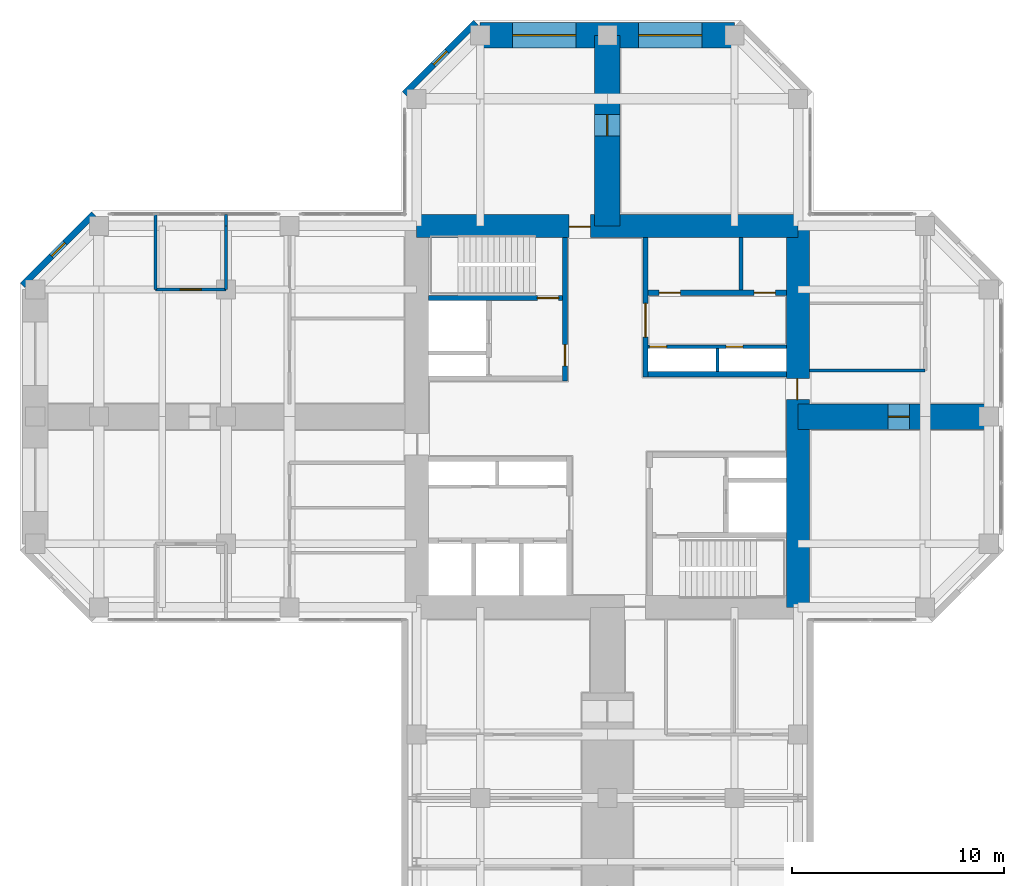
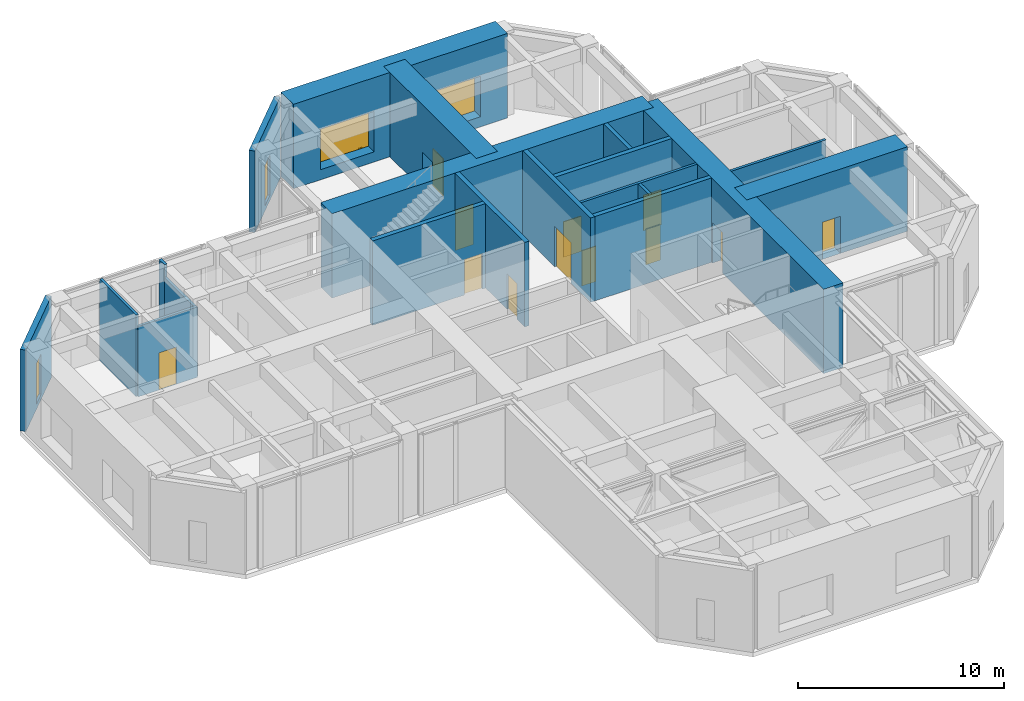
# One storey, part 8 of 10: 20 walls, 12 doors, 4 windows, 16 openings.
"""IFC4 building model written with IfcOpenShell, lengths in metres."""

from ifc_helpers import new_model, si_unit, direction, frame, frame_2d, origin, place, context, subcontext, project, spatial, rectangle, hollow_rectangle, extrude, material, layer, layer_set, constituent, constituent_set, type_object, element, fill, save


model = new_model("IFC4")

# Units and contexts
model_context = context("Model", 3, precision=1e-05, world=origin(), true_north=direction((0.0, 1.0)))
body_context = subcontext(model_context, "Body", "Model", "MODEL_VIEW")
ifc_project = project(units=[si_unit("LENGTHUNIT", "METRE"), si_unit("AREAUNIT", "SQUARE_METRE"), si_unit("VOLUMEUNIT", "CUBIC_METRE"), si_unit("PLANEANGLEUNIT", "RADIAN"), si_unit("MASSUNIT", "GRAM", prefix="KILO")], contexts=[model_context])

# Site, building, storey
site_placement = place(None, origin())
site = spatial("IfcSite", under=ifc_project, at=site_placement, CompositionType="ELEMENT")
building_placement = place(site_placement, origin())
building = spatial("IfcBuilding", under=site, at=building_placement, Name="Torre Cruceta", CompositionType="ELEMENT")
storey_placement = place(building_placement, frame((0.0, 0.0, 217.10009765625)))
storey = spatial("IfcBuildingStorey", under=building, at=storey_placement, Name="L55", CompositionType="ELEMENT", Elevation=217.10009765625)

# Wall, opening, door
ifc_material_1 = material(Name="Concrete G60 (fck 60 MPa)", Category="concrete")
ifc_layer_1 = layer(ifc_material_1, 0.25)
ifc_layer_set_1 = layer_set([ifc_layer_1], Name="Concrete G60 (fck 60 MPa)")
wall_type_1 = type_object("IfcWallType", Name="CORE INNER WALL 250 G60", PredefinedType="SHEAR", material=ifc_layer_set_1)
wall_1_placement = place(storey_placement, frame((1.800048828125, 1.875, 0.0), z_axis=(0.0, 0.0, 1.0), x_axis=(0.0, 1.0, 0.0)))
wall_1 = element("IfcWall", 1, at=wall_1_placement, inside=storey, type_object=wall_type_1, Name="CW4 L55 NE-CU", PredefinedType="SHEAR", context=body_context, shape_type="SweptSolid", body=[
    extrude(rectangle(XDim=6.574951171875, YDim=0.25, at=frame_2d((3.28759765625, 0.0))), origin(), (0.0, 0.0, 1.0), 5.0),
])
opening_1_placement = place(wall_1_placement, frame((1.875, 0.0, 0.0)))
opening_1 = element("IfcOpeningElement", 2, at=opening_1_placement, cuts=wall_1, Name="Opening D15", PredefinedType="OPENING", context=body_context, shape_type="SweptSolid", body=[
    extrude(rectangle(XDim=1.60009765625, YDim=2.39990234375, at=frame_2d((0.800048828125, 1.199951171875))), frame((0.0, 0.135009765625, 0.0), z_axis=(0.0, -1.0, 0.0), x_axis=(1.0, 0.0, 0.0)), (0.0, 0.0, 1.0), 0.27001953125),
])
ifc_material_2 = material(Name="Steel DX51D", Category="steel")
ifc_constituent_1 = constituent(ifc_material_2, Name="Leaf and frame")
ifc_material_3 = material(Name="Polyester powder coating", Category="paint")
ifc_constituent_2 = constituent(ifc_material_3, Name="Finish")
ifc_constituent_set_1 = constituent_set(constituents=[ifc_constituent_1, ifc_constituent_2], Name="Steel fire door")
door_type_1 = type_object("IfcDoorType", Name="CORE ROOM DOUBLE DOOR 1600X2400", OperationType="DOUBLE_DOOR_SINGLE_SWING", PredefinedType="DOOR", material=ifc_constituent_set_1)
door_1_placement = place(opening_1_placement, frame((1.60009765625, 0.0, 0.0), z_axis=(0.0, 0.0, 1.0), x_axis=(-1.0, 0.0, 0.0)))
door_1 = element("IfcDoor", 3, at=door_1_placement, inside=storey, type_object=door_type_1, Name="D15 L55 NE-LOBBY", OperationType="DOUBLE_DOOR_SINGLE_SWING", OverallHeight=2.39990234375, OverallWidth=1.60009765625, PredefinedType="DOOR", context=body_context, shape_type="SweptSolid", body=[
    extrude(rectangle(XDim=1.60009765625, YDim=2.39990234375, at=frame_2d((0.800048828125, 1.199951171875))), frame((0.0, 0.025146484375, 0.0), z_axis=(0.0, -1.0, 0.0), x_axis=(1.0, 0.0, 0.0)), (0.0, 0.0, 1.0), 0.050048828125),
])
fill(opening_1, door_1)

# Wall
wall_2_placement = place(storey_placement, frame((1.925048828125, 2.0, 0.0), z_axis=(0.0, 0.0, 1.0), x_axis=(1.0, 0.0, 0.0)))
element("IfcWall", 4, at=wall_2_placement, inside=storey, type_object=wall_type_1, Name="CW4 L55 NE-CV", PredefinedType="SHEAR", context=body_context, shape_type="SweptSolid", body=[
    extrude(rectangle(XDim=6.52490234375, YDim=0.25, at=frame_2d((3.262451171875, 0.0))), origin(), (0.0, 0.0, 1.0), 5.0),
])

# Wall, openings, doors
wall_3_placement = place(storey_placement, frame((1.925048828125, 5.85009765625, 0.0), z_axis=(0.0, 0.0, 1.0), x_axis=(1.0, 0.0, 0.0)))
wall_3 = element("IfcWall", 5, at=wall_3_placement, inside=storey, type_object=wall_type_1, Name="CW4 L55 NE-LV", PredefinedType="SHEAR", context=body_context, shape_type="SweptSolid", body=[
    extrude(rectangle(XDim=6.52490234375, YDim=0.25, at=frame_2d((3.262451171875, 0.0))), origin(), (0.0, 0.0, 1.0), 5.0),
])
opening_2_placement = place(wall_3_placement, frame((0.520751953125, 0.0, 0.0)))
opening_2 = element("IfcOpeningElement", 6, at=opening_2_placement, cuts=wall_3, Name="Opening D3", PredefinedType="OPENING", context=body_context, shape_type="SweptSolid", body=[
    extrude(rectangle(XDim=1.0, YDim=2.10009765625, at=frame_2d((0.5, 1.050048828125))), frame((0.0, 0.135009765625, 0.0), z_axis=(0.0, -1.0, 0.0), x_axis=(1.0, 0.0, 0.0)), (0.0, 0.0, 1.0), 0.27001953125),
])
opening_3_placement = place(wall_3_placement, frame((5.004150390625, 0.0, 0.0)))
opening_3 = element("IfcOpeningElement", 7, at=opening_3_placement, cuts=wall_3, Name="Opening D3", PredefinedType="OPENING", context=body_context, shape_type="SweptSolid", body=[
    extrude(rectangle(XDim=1.0, YDim=2.10009765625, at=frame_2d((0.5, 1.050048828125))), frame((0.0, 0.135009765625, 0.0), z_axis=(0.0, -1.0, 0.0), x_axis=(1.0, 0.0, 0.0)), (0.0, 0.0, 1.0), 0.27001953125),
])
ifc_material_4 = material(Name="Steel DX51D", Category="steel")
ifc_constituent_3 = constituent(ifc_material_4, Name="Leaf and frame")
ifc_material_5 = material(Name="Polyester powder coating", Category="paint")
ifc_constituent_4 = constituent(ifc_material_5, Name="Finish")
ifc_constituent_set_2 = constituent_set(constituents=[ifc_constituent_3, ifc_constituent_4], Name="Steel fire door")
door_type_2 = type_object("IfcDoorType", Name="FIRE DOOR 1000X2100", OperationType="SINGLE_SWING_LEFT", PredefinedType="DOOR", material=ifc_constituent_set_2)
door_2_placement = place(opening_2_placement, origin())
door_2 = element("IfcDoor", 8, at=door_2_placement, inside=storey, type_object=door_type_2, Name="D3 L55 NE-HR1", OperationType="SINGLE_SWING_LEFT", OverallHeight=2.10009765625, OverallWidth=1.0, PredefinedType="DOOR", context=body_context, shape_type="SweptSolid", body=[
    extrude(rectangle(XDim=1.0, YDim=2.10009765625, at=frame_2d((0.5, 1.050048828125))), frame((0.0, 0.02490234375, 0.0), z_axis=(0.0, -1.0, 0.0), x_axis=(1.0, 0.0, 0.0)), (0.0, 0.0, 1.0), 0.050048828125),
])
fill(opening_2, door_2)
door_3_placement = place(opening_3_placement, origin())
door_3 = element("IfcDoor", 9, at=door_3_placement, inside=storey, type_object=door_type_2, Name="D3 L55 NE-HR2", OperationType="SINGLE_SWING_RIGHT", OverallHeight=2.10009765625, OverallWidth=1.0, PredefinedType="DOOR", context=body_context, shape_type="SweptSolid", body=[
    extrude(rectangle(XDim=1.0, YDim=2.10009765625, at=frame_2d((0.5, 1.050048828125))), frame((0.0, 0.02490234375, 0.0), z_axis=(0.0, -1.0, 0.0), x_axis=(1.0, 0.0, 0.0)), (0.0, 0.0, 1.0), 0.050048828125),
])
fill(opening_3, door_3)

# Wall, opening, door
wall_4_placement = place(storey_placement, frame((-2.0, 1.675048828125, 0.0), z_axis=(0.0, 0.0, 1.0), x_axis=(0.0, 1.0, 0.0)))
wall_4 = element("IfcWall", 10, at=wall_4_placement, inside=storey, type_object=wall_type_1, Name="CW4 L55 NW-CU", PredefinedType="SHEAR", context=body_context, shape_type="SweptSolid", body=[
    extrude(rectangle(XDim=6.77490234375, YDim=0.25, at=frame_2d((3.387451171875, 0.0))), origin(), (0.0, 0.0, 1.0), 5.0),
])
opening_4_placement = place(wall_4_placement, frame((0.72509765625, 0.0, 0.0)))
opening_4 = element("IfcOpeningElement", 11, at=opening_4_placement, cuts=wall_4, Name="Opening D3", PredefinedType="OPENING", context=body_context, shape_type="SweptSolid", body=[
    extrude(rectangle(XDim=1.0, YDim=2.10009765625, at=frame_2d((0.5, 1.050048828125))), frame((0.0, 0.135009765625, 0.0), z_axis=(0.0, -1.0, 0.0), x_axis=(1.0, 0.0, 0.0)), (0.0, 0.0, 1.0), 0.27001953125),
])
door_4_placement = place(opening_4_placement, origin())
door_4 = element("IfcDoor", 12, at=door_4_placement, inside=storey, type_object=door_type_2, Name="D3 L55 NW-LOBBY", OperationType="SINGLE_SWING_LEFT", OverallHeight=2.10009765625, OverallWidth=1.0, PredefinedType="DOOR", context=body_context, shape_type="SweptSolid", body=[
    extrude(rectangle(XDim=1.0, YDim=2.10009765625, at=frame_2d((0.5, 1.050048828125))), frame((0.0, 0.02490234375, 0.0), z_axis=(0.0, -1.0, 0.0), x_axis=(1.0, 0.0, 0.0)), (0.0, 0.0, 1.0), 0.050048828125),
])
fill(opening_4, door_4)

wall_5_placement = place(storey_placement, frame((-2.125, 5.60009765625, 0.0), z_axis=(0.0, 0.0, 1.0), x_axis=(-1.0, 0.0, 0.0)))
wall_5 = element("IfcWall", 13, at=wall_5_placement, inside=storey, type_object=wall_type_1, Name="CW4 L55 NW-SV", PredefinedType="SHEAR", context=body_context, shape_type="SweptSolid", body=[
    extrude(rectangle(XDim=6.324951171875, YDim=0.25, at=frame_2d((3.16259765625, 0.0))), origin(), (0.0, 0.0, 1.0), 5.0),
])
opening_5_placement = place(wall_5_placement, frame((0.175048828125, 0.0, 0.0)))
opening_5 = element("IfcOpeningElement", 14, at=opening_5_placement, cuts=wall_5, Name="Opening D3", PredefinedType="OPENING", context=body_context, shape_type="SweptSolid", body=[
    extrude(rectangle(XDim=1.0, YDim=2.10009765625, at=frame_2d((0.5, 1.050048828125))), frame((0.0, 0.135009765625, 0.0), z_axis=(0.0, -1.0, 0.0), x_axis=(1.0, 0.0, 0.0)), (0.0, 0.0, 1.0), 0.27001953125),
])
door_5_placement = place(opening_5_placement, frame((1.0, 0.0, 0.0), z_axis=(0.0, 0.0, 1.0), x_axis=(-1.0, 0.0, 0.0)))
door_5 = element("IfcDoor", 15, at=door_5_placement, inside=storey, type_object=door_type_2, Name="D3 L55 NW-STAIR", OperationType="SINGLE_SWING_RIGHT", OverallHeight=2.10009765625, OverallWidth=1.0, PredefinedType="DOOR", context=body_context, shape_type="SweptSolid", body=[
    extrude(rectangle(XDim=1.0, YDim=2.10009765625, at=frame_2d((0.5, 1.050048828125))), frame((0.0, 0.025146484375, 0.0), z_axis=(0.0, -1.0, 0.0), x_axis=(1.0, 0.0, 0.0)), (0.0, 0.0, 1.0), 0.050048828125),
])
fill(opening_5, door_5)

ifc_material_6 = material(Name="Concrete G60 (fck 60 MPa)", Category="concrete")
ifc_layer_2 = layer(ifc_material_6, 1.10009765625)
ifc_layer_set_2 = layer_set([ifc_layer_2], Name="Concrete G60 (fck 60 MPa)")
wall_type_2 = type_object("IfcWallType", Name="CORE WALL 1100 G60", PredefinedType="SHEAR", material=ifc_layer_set_2)
wall_6_placement = place(storey_placement, frame((9.0, 9.0, 0.0), z_axis=(0.0, 0.0, 1.0), x_axis=(-1.0, 0.0, 0.0)))
wall_6 = element("IfcWall", 16, at=wall_6_placement, inside=storey, type_object=wall_type_2, Name="CW2 L55 CW-N", PredefinedType="SHEAR", context=body_context, shape_type="SweptSolid", body=[
    extrude(rectangle(XDim=18.0, YDim=1.10009765625, at=frame_2d((9.0, 0.0))), origin(), (0.0, 0.0, 1.0), 5.0),
])
opening_6_placement = place(wall_6_placement, frame((9.800048828125, 0.0, 0.0)))
opening_6 = element("IfcOpeningElement", 17, at=opening_6_placement, cuts=wall_6, Name="Opening D4", PredefinedType="OPENING", context=body_context, shape_type="SweptSolid", body=[
    extrude(rectangle(XDim=1.0, YDim=2.39990234375, at=frame_2d((0.5, 1.199951171875))), frame((0.0, 0.56005859375, 0.0), z_axis=(0.0, -1.0, 0.0), x_axis=(1.0, 0.0, 0.0)), (0.0, 0.0, 1.0), 1.1201171875),
])
ifc_material_7 = material(Name="Steel DX51D", Category="steel")
ifc_constituent_5 = constituent(ifc_material_7, Name="Leaf and frame")
ifc_material_8 = material(Name="Polyester powder coating", Category="paint")
ifc_constituent_6 = constituent(ifc_material_8, Name="Finish")
ifc_constituent_set_3 = constituent_set(constituents=[ifc_constituent_5, ifc_constituent_6], Name="Steel fire door")
door_type_3 = type_object("IfcDoorType", Name="CORE ARM DOOR 1000X2400", OperationType="SINGLE_SWING_RIGHT", PredefinedType="DOOR", material=ifc_constituent_set_3)
door_6_placement = place(opening_6_placement, frame((1.0, 0.0, 0.0), z_axis=(0.0, 0.0, 1.0), x_axis=(-1.0, 0.0, 0.0)))
door_6 = element("IfcDoor", 18, at=door_6_placement, inside=storey, type_object=door_type_3, Name="D4 L55 CW-N", OperationType="SINGLE_SWING_RIGHT", OverallHeight=2.39990234375, OverallWidth=1.0, PredefinedType="DOOR", context=body_context, shape_type="SweptSolid", body=[
    extrude(rectangle(XDim=1.0, YDim=2.39990234375, at=frame_2d((0.5, 1.199951171875))), frame((0.0, -0.005126953125, 0.0), z_axis=(0.0, -1.0, 0.0), x_axis=(1.0, 0.0, 0.0)), (0.0, 0.0, 1.0), 0.050048828125),
])
fill(opening_6, door_6)

wall_7_placement = place(storey_placement, frame((9.0, -9.0, 0.0), z_axis=(0.0, 0.0, 1.0), x_axis=(0.0, 1.0, 0.0)))
wall_7 = element("IfcWall", 19, at=wall_7_placement, inside=storey, type_object=wall_type_2, Name="CW2 L55 CW-E", PredefinedType="SHEAR", context=body_context, shape_type="SweptSolid", body=[
    extrude(rectangle(XDim=18.0, YDim=1.10009765625, at=frame_2d((9.0, 0.0))), origin(), (0.0, 0.0, 1.0), 5.0),
])
opening_7_placement = place(wall_7_placement, frame((9.800048828125, 0.0, 0.0)))
opening_7 = element("IfcOpeningElement", 20, at=opening_7_placement, cuts=wall_7, Name="Opening D4", PredefinedType="OPENING", context=body_context, shape_type="SweptSolid", body=[
    extrude(rectangle(XDim=1.0, YDim=2.39990234375, at=frame_2d((0.5, 1.199951171875))), frame((0.0, 0.56005859375, 0.0), z_axis=(0.0, -1.0, 0.0), x_axis=(1.0, 0.0, 0.0)), (0.0, 0.0, 1.0), 1.1201171875),
])
door_7_placement = place(opening_7_placement, frame((1.0, 0.0, 0.0), z_axis=(0.0, 0.0, 1.0), x_axis=(-1.0, 0.0, 0.0)))
door_7 = element("IfcDoor", 21, at=door_7_placement, inside=storey, type_object=door_type_3, Name="D4 L55 CW-E", OperationType="SINGLE_SWING_RIGHT", OverallHeight=2.39990234375, OverallWidth=1.0, PredefinedType="DOOR", context=body_context, shape_type="SweptSolid", body=[
    extrude(rectangle(XDim=1.0, YDim=2.39990234375, at=frame_2d((0.5, 1.199951171875))), frame((0.0, -0.005126953125, 0.0), z_axis=(0.0, -1.0, 0.0), x_axis=(1.0, 0.0, 0.0)), (0.0, 0.0, 1.0), 0.050048828125),
])
fill(opening_7, door_7)

# Wall, opening, window
ifc_material_9 = material(Name="Concrete G30 (fck 30 MPa)", Category="concrete")
ifc_layer_3 = layer(ifc_material_9, 0.300048828125)
ifc_layer_set_3 = layer_set([ifc_layer_3], Name="Concrete G30 (fck 30 MPa)")
wall_type_3 = type_object("IfcWallType", Name="EXPOSED CONCRETE FACADE WALL 300", PredefinedType="SOLIDWALL", material=ifc_layer_set_3)
wall_8_placement = place(storey_placement, frame((-6.2060546875, 18.60009765625, 0.0), z_axis=(0.0, 0.0, 1.0), x_axis=(-0.707106781187, -0.707106781187, 0.0)))
wall_8 = element("IfcWall", 22, at=wall_8_placement, inside=storey, type_object=wall_type_3, Name="EW1 facade wall L55 N chamfer 08", PredefinedType="SOLIDWALL", context=body_context, shape_type="SweptSolid", body=[
    extrude(rectangle(XDim=4.75732421875, YDim=0.300048828125, at=frame_2d((2.378662109375, 0.0))), origin(), (0.0, 0.0, 1.0), 4.81982421875),
])
opening_8_placement = place(wall_8_placement, frame((1.9287109375, 0.0, 0.300048828125)))
opening_8 = element("IfcOpeningElement", 23, at=opening_8_placement, cuts=wall_8, Name="Opening WN5", PredefinedType="OPENING", context=body_context, shape_type="SweptSolid", body=[
    extrude(rectangle(XDim=0.89990234375, YDim=2.39990234375, at=frame_2d((0.449951171875, 1.199951171875))), frame((0.0, 0.159912109375, 0.0), z_axis=(0.0, -1.0, 0.0), x_axis=(1.0, 0.0, 0.0)), (0.0, 0.0, 1.0), 0.320068359375),
])
ifc_material_10 = material(Name="Aluminium window frame", Category="aluminium")
ifc_constituent_7 = constituent(ifc_material_10, Name="Frame")
ifc_material_11 = material(Name="Laminated insulating glass unit, low-iron clear", Category="glass")
ifc_constituent_8 = constituent(ifc_material_11, Name="Glazing")
ifc_constituent_set_4 = constituent_set(constituents=[ifc_constituent_7, ifc_constituent_8], Name="Aluminium window")
window_type_1 = type_object("IfcWindowType", Name="CHAMFER SLOT WINDOW 900X2400", PartitioningType="SINGLE_PANEL", PredefinedType="WINDOW", material=ifc_constituent_set_4)
window_1_placement = place(opening_8_placement, origin())
window_1 = element("IfcWindow", 24, at=window_1_placement, inside=storey, type_object=window_type_1, Name="WN5 L55 N 1", OverallHeight=2.39990234375, OverallWidth=0.89990234375, PartitioningType="SINGLE_PANEL", PredefinedType="WINDOW", context=body_context, shape_type="SweptSolid", body=[
    extrude(hollow_rectangle(XDim=0.89990234375, YDim=2.39990234375, WallThickness=0.06005859375, at=frame_2d((0.449951171875, 1.199951171875))), frame((0.0, 0.030029296875, 0.0), z_axis=(0.0, -1.0, 0.0), x_axis=(1.0, 0.0, 0.0)), (0.0, 0.0, 1.0), 0.06005859375),
    extrude(rectangle(XDim=0.77880859375, YDim=2.27880859375, at=frame_2d((0.449951171875, 1.199951171875))), frame((0.0, 0.030029296875, 0.0), z_axis=(0.0, -1.0, 0.0), x_axis=(1.0, 0.0, 0.0)), (0.0, 0.0, 1.0), 0.06005859375),
])
fill(opening_8, window_1)

wall_9_placement = place(storey_placement, frame((-24.236083984375, 9.570068359375, 0.0), z_axis=(0.0, 0.0, 1.0), x_axis=(-0.707106781187, -0.707106781187, 0.0)))
wall_9 = element("IfcWall", 25, at=wall_9_placement, inside=storey, type_object=wall_type_3, Name="EW1 facade wall L55 W chamfer 11", PredefinedType="SOLIDWALL", context=body_context, shape_type="SweptSolid", body=[
    extrude(rectangle(XDim=4.75732421875, YDim=0.300048828125, at=frame_2d((2.378662109375, 0.0))), origin(), (0.0, 0.0, 1.0), 4.81982421875),
])
opening_9_placement = place(wall_9_placement, frame((1.9287109375, 0.0, 0.300048828125)))
opening_9 = element("IfcOpeningElement", 26, at=opening_9_placement, cuts=wall_9, Name="Opening WN5", PredefinedType="OPENING", context=body_context, shape_type="SweptSolid", body=[
    extrude(rectangle(XDim=0.89990234375, YDim=2.39990234375, at=frame_2d((0.449951171875, 1.199951171875))), frame((0.0, 0.159912109375, 0.0), z_axis=(0.0, -1.0, 0.0), x_axis=(1.0, 0.0, 0.0)), (0.0, 0.0, 1.0), 0.320068359375),
])
window_2_placement = place(opening_9_placement, origin())
window_2 = element("IfcWindow", 27, at=window_2_placement, inside=storey, type_object=window_type_1, Name="WN5 L55 W 1", OverallHeight=2.39990234375, OverallWidth=0.89990234375, PartitioningType="SINGLE_PANEL", PredefinedType="WINDOW", context=body_context, shape_type="SweptSolid", body=[
    extrude(hollow_rectangle(XDim=0.89990234375, YDim=2.39990234375, WallThickness=0.06005859375, at=frame_2d((0.449951171875, 1.199951171875))), frame((0.0, 0.030029296875, 0.0), z_axis=(0.0, -1.0, 0.0), x_axis=(1.0, 0.0, 0.0)), (0.0, 0.0, 1.0), 0.06005859375),
    extrude(rectangle(XDim=0.77880859375, YDim=2.27880859375, at=frame_2d((0.449951171875, 1.199951171875))), frame((0.0, 0.030029296875, 0.0), z_axis=(0.0, -1.0, 0.0), x_axis=(1.0, 0.0, 0.0)), (0.0, 0.0, 1.0), 0.06005859375),
])
fill(opening_9, window_2)

# Wall
ifc_material_12 = material(Name="Concrete G35 (fck 35 MPa)", Category="concrete")
ifc_layer_4 = layer(ifc_material_12, 0.199951171875)
ifc_layer_set_4 = layer_set([ifc_layer_4], Name="Concrete G35 (fck 35 MPa)")
wall_type_4 = type_object("IfcWallType", Name="LIFT SHAFT WALL 200", PredefinedType="PARTITIONING", material=ifc_layer_set_4)
wall_10_placement = place(storey_placement, frame((6.308349609375, 5.97509765625, 0.0), z_axis=(0.0, 0.0, 1.0), x_axis=(0.0, 1.0, 0.0)))
element("IfcWall", 28, at=wall_10_placement, inside=storey, type_object=wall_type_4, Name="SW1 L55 NE-LS2", PredefinedType="PARTITIONING", context=body_context, shape_type="SweptSolid", body=[
    extrude(rectangle(XDim=2.474853515625, YDim=0.199951171875, at=frame_2d((1.2373046875, 0.0))), origin(), (0.0, 0.0, 1.0), 5.0),
])

# Wall, openings, windows
ifc_material_13 = material(Name="Concrete G60 (fck 60 MPa)", Category="concrete")
ifc_layer_5 = layer(ifc_material_13, 1.199951171875)
ifc_layer_set_5 = layer_set([ifc_layer_5], Name="Concrete G60 (fck 60 MPa)")
wall_type_5 = type_object("IfcWallType", Name="NOSE WALL 1200 G60", PredefinedType="SHEAR", material=ifc_layer_set_5)
wall_11_placement = place(storey_placement, frame((6.0, 18.0, 0.0), z_axis=(0.0, 0.0, 1.0), x_axis=(-1.0, 0.0, 0.0)))
wall_11 = element("IfcWall", 29, at=wall_11_placement, inside=storey, type_object=wall_type_5, Name="NW1 nose wall L55 N", PredefinedType="SHEAR", context=body_context, shape_type="SweptSolid", body=[
    extrude(rectangle(XDim=12.0, YDim=1.199951171875, at=frame_2d((6.0, 0.0))), origin(), (0.0, 0.0, 1.0), 5.0),
])
opening_10_placement = place(wall_11_placement, frame((1.52490234375, 0.0, 0.60009765625)))
opening_10 = element("IfcOpeningElement", 30, at=opening_10_placement, cuts=wall_11, Name="Opening WN6", PredefinedType="OPENING", context=body_context, shape_type="SweptSolid", body=[
    extrude(rectangle(XDim=3.0, YDim=2.39990234375, at=frame_2d((1.5, 1.199951171875))), frame((0.0, 0.60986328125, 0.0), z_axis=(0.0, -1.0, 0.0), x_axis=(1.0, 0.0, 0.0)), (0.0, 0.0, 1.0), 1.219970703125),
])
opening_11_placement = place(wall_11_placement, frame((7.47509765625, 0.0, 0.60009765625)))
opening_11 = element("IfcOpeningElement", 31, at=opening_11_placement, cuts=wall_11, Name="Opening WN6", PredefinedType="OPENING", context=body_context, shape_type="SweptSolid", body=[
    extrude(rectangle(XDim=3.0, YDim=2.39990234375, at=frame_2d((1.5, 1.199951171875))), frame((0.0, 0.60986328125, 0.0), z_axis=(0.0, -1.0, 0.0), x_axis=(1.0, 0.0, 0.0)), (0.0, 0.0, 1.0), 1.219970703125),
])
ifc_material_14 = material(Name="Aluminium window frame", Category="aluminium")
ifc_constituent_9 = constituent(ifc_material_14, Name="Frame")
ifc_material_15 = material(Name="Laminated insulating glass unit, low-iron clear", Category="glass")
ifc_constituent_10 = constituent(ifc_material_15, Name="Glazing")
ifc_constituent_set_5 = constituent_set(constituents=[ifc_constituent_9, ifc_constituent_10], Name="Aluminium window")
window_type_2 = type_object("IfcWindowType", Name="NOSE WALL WINDOW 3000X2400", PartitioningType="SINGLE_PANEL", PredefinedType="WINDOW", material=ifc_constituent_set_5)
window_3_placement = place(opening_10_placement, origin())
window_3 = element("IfcWindow", 32, at=window_3_placement, inside=storey, type_object=window_type_2, Name="WN6 L55 N 1", OverallHeight=2.39990234375, OverallWidth=3.0, PartitioningType="SINGLE_PANEL", PredefinedType="WINDOW", context=body_context, shape_type="SweptSolid", body=[
    extrude(hollow_rectangle(XDim=3.0, YDim=2.39990234375, WallThickness=0.06005859375, at=frame_2d((1.5, 1.199951171875))), frame((0.0, 0.030029296875, 0.0), z_axis=(0.0, -1.0, 0.0), x_axis=(1.0, 0.0, 0.0)), (0.0, 0.0, 1.0), 0.06005859375),
    extrude(rectangle(XDim=2.87890625, YDim=2.27880859375, at=frame_2d((1.5, 1.199951171875))), frame((0.0, 0.030029296875, 0.0), z_axis=(0.0, -1.0, 0.0), x_axis=(1.0, 0.0, 0.0)), (0.0, 0.0, 1.0), 0.06005859375),
])
fill(opening_10, window_3)
window_4_placement = place(opening_11_placement, origin())
window_4 = element("IfcWindow", 33, at=window_4_placement, inside=storey, type_object=window_type_2, Name="WN6 L55 N 2", OverallHeight=2.39990234375, OverallWidth=3.0, PartitioningType="SINGLE_PANEL", PredefinedType="WINDOW", context=body_context, shape_type="SweptSolid", body=[
    extrude(hollow_rectangle(XDim=3.0, YDim=2.39990234375, WallThickness=0.06005859375, at=frame_2d((1.5, 1.199951171875))), frame((0.0, 0.030029296875, 0.0), z_axis=(0.0, -1.0, 0.0), x_axis=(1.0, 0.0, 0.0)), (0.0, 0.0, 1.0), 0.06005859375),
    extrude(rectangle(XDim=2.87890625, YDim=2.27880859375, at=frame_2d((1.5, 1.199951171875))), frame((0.0, 0.030029296875, 0.0), z_axis=(0.0, -1.0, 0.0), x_axis=(1.0, 0.0, 0.0)), (0.0, 0.0, 1.0), 0.06005859375),
])
fill(opening_11, window_4)

# Wall
ifc_material_16 = material(Name="Plasterboard on steel studs", Category="steel")
ifc_layer_6 = layer(ifc_material_16, 0.14990234375)
ifc_layer_set_6 = layer_set([ifc_layer_6], Name="Plasterboard on steel studs")
wall_type_6 = type_object("IfcWallType", Name="PARTITION 150", PredefinedType="PARTITIONING", material=ifc_layer_set_6)
wall_12_placement = place(storey_placement, frame((9.550048828125, 2.175048828125, 0.0), z_axis=(0.0, 0.0, 1.0), x_axis=(1.0, 0.0, 0.0)))
element("IfcWall", 34, at=wall_12_placement, inside=storey, type_object=wall_type_6, Name="PT1 L55-E-BSL", PredefinedType="PARTITIONING", context=body_context, shape_type="SweptSolid", body=[
    extrude(rectangle(XDim=5.449951171875, YDim=0.14990234375, at=frame_2d((2.72509765625, 0.0))), origin(), (0.0, 0.0, 1.0), 4.81982421875),
])

# Wall, opening, door
wall_13_placement = place(storey_placement, frame((-18.0, 6.0, 0.0), z_axis=(0.0, 0.0, 1.0), x_axis=(-1.0, 0.0, 0.0)))
wall_13 = element("IfcWall", 35, at=wall_13_placement, inside=storey, type_object=wall_type_6, Name="PT1 L55-W-PB2W", PredefinedType="PARTITIONING", context=body_context, shape_type="SweptSolid", body=[
    extrude(rectangle(XDim=3.320068359375, YDim=0.14990234375, at=frame_2d((1.66015625, 0.0))), origin(), (0.0, 0.0, 1.0), 4.169921875),
])
opening_12_placement = place(wall_13_placement, frame((1.159912109375, 0.0, 0.0)))
opening_12 = element("IfcOpeningElement", 36, at=opening_12_placement, cuts=wall_13, Name="Opening D14", PredefinedType="OPENING", context=body_context, shape_type="SweptSolid", body=[
    extrude(rectangle(XDim=1.0, YDim=2.199951171875, at=frame_2d((0.5, 1.10009765625))), frame((0.0, 0.0849609375, 0.0), z_axis=(0.0, -1.0, 0.0), x_axis=(1.0, 0.0, 0.0)), (0.0, 0.0, 1.0), 0.169921875),
])
ifc_material_17 = material(Name="Steel DX51D", Category="steel")
ifc_constituent_11 = constituent(ifc_material_17, Name="Leaf and frame")
ifc_material_18 = material(Name="Polyester powder coating", Category="paint")
ifc_constituent_12 = constituent(ifc_material_18, Name="Finish")
ifc_material_19 = material(Name="Fire-resisting glass", Category="glass")
ifc_constituent_13 = constituent(ifc_material_19, Name="Vision panel")
ifc_constituent_set_6 = constituent_set(constituents=[ifc_constituent_11, ifc_constituent_12, ifc_constituent_13], Name="Steel fire door with vision panel")
door_type_4 = type_object("IfcDoorType", Name="FIRE DOOR VISION PANEL 1000X2200", OperationType="SINGLE_SWING_RIGHT", PredefinedType="DOOR", material=ifc_constituent_set_6)
door_8_placement = place(opening_12_placement, frame((1.0, 0.0, 0.0), z_axis=(0.0, 0.0, 1.0), x_axis=(-1.0, 0.0, 0.0)))
door_8 = element("IfcDoor", 37, at=door_8_placement, inside=storey, type_object=door_type_4, Name="D14 L55-W-PB2W-D1", OperationType="SINGLE_SWING_RIGHT", OverallHeight=2.199951171875, OverallWidth=1.0, PredefinedType="DOOR", context=body_context, shape_type="SweptSolid", body=[
    extrude(rectangle(XDim=1.0, YDim=2.199951171875, at=frame_2d((0.5, 1.10009765625))), frame((0.0, 0.025146484375, 0.0), z_axis=(0.0, -1.0, 0.0), x_axis=(1.0, 0.0, 0.0)), (0.0, 0.0, 1.0), 0.050048828125),
])
fill(opening_12, door_8)

# Walls
wall_14_placement = place(storey_placement, frame((-18.0, 9.530029296875, 0.0), z_axis=(0.0, 0.0, 1.0), x_axis=(0.0, -1.0, 0.0)))
element("IfcWall", 38, at=wall_14_placement, inside=storey, type_object=wall_type_6, Name="PT1 L55-W-PB2A", PredefinedType="PARTITIONING", context=body_context, shape_type="SweptSolid", body=[
    extrude(rectangle(XDim=0.530029296875, YDim=0.14990234375, at=frame_2d((0.26513671875, 0.0))), origin(), (0.0, 0.0, 1.0), 4.81982421875),
])
wall_15_placement = place(storey_placement, frame((-18.0, 9.0, 0.0), z_axis=(0.0, 0.0, 1.0), x_axis=(0.0, -1.0, 0.0)))
element("IfcWall", 39, at=wall_15_placement, inside=storey, type_object=wall_type_6, Name="PT1 L55-W-PB2A 2", PredefinedType="PARTITIONING", context=body_context, shape_type="SweptSolid", body=[
    extrude(rectangle(XDim=3.0, YDim=0.14990234375, at=frame_2d((1.5, 0.0))), origin(), (0.0, 0.0, 1.0), 4.06982421875),
])
wall_16_placement = place(storey_placement, frame((-21.320068359375, 9.530029296875, 0.0), z_axis=(0.0, 0.0, 1.0), x_axis=(0.0, -1.0, 0.0)))
element("IfcWall", 40, at=wall_16_placement, inside=storey, type_object=wall_type_6, Name="PT1 L55-W-PB2B", PredefinedType="PARTITIONING", context=body_context, shape_type="SweptSolid", body=[
    extrude(rectangle(XDim=3.530029296875, YDim=0.14990234375, at=frame_2d((1.76513671875, 0.0))), origin(), (0.0, 0.0, 1.0), 4.81982421875),
])

# Wall, openings, doors
ifc_material_20 = material(Name="Concrete block masonry", Category="masonry")
ifc_layer_7 = layer(ifc_material_20, 0.14990234375)
ifc_layer_set_7 = layer_set([ifc_layer_7], Name="Concrete block masonry")
wall_type_7 = type_object("IfcWallType", Name="RISER WALL 150", PredefinedType="PARTITIONING", material=ifc_layer_set_7)
wall_17_placement = place(storey_placement, frame((1.925048828125, 3.300048828125, 0.0), z_axis=(0.0, 0.0, 1.0), x_axis=(1.0, 0.0, 0.0)))
wall_17 = element("IfcWall", 41, at=wall_17_placement, inside=storey, type_object=wall_type_7, Name="SW7 L55 NE-RV", PredefinedType="PARTITIONING", context=body_context, shape_type="SweptSolid", body=[
    extrude(rectangle(XDim=6.52490234375, YDim=0.14990234375, at=frame_2d((3.262451171875, 0.0))), origin(), (0.0, 0.0, 1.0), 5.0),
])
opening_13_placement = place(wall_17_placement, frame((0.074951171875, 0.0, 0.0)))
opening_13 = element("IfcOpeningElement", 42, at=opening_13_placement, cuts=wall_17, Name="Opening D5", PredefinedType="OPENING", context=body_context, shape_type="SweptSolid", body=[
    extrude(rectangle(XDim=0.800048828125, YDim=2.10009765625, at=frame_2d((0.39990234375, 1.050048828125))), frame((0.0, 0.0849609375, 0.0), z_axis=(0.0, -1.0, 0.0), x_axis=(1.0, 0.0, 0.0)), (0.0, 0.0, 1.0), 0.169921875),
])
opening_14_placement = place(wall_17_placement, frame((3.675048828125, 0.0, 0.0)))
opening_14 = element("IfcOpeningElement", 43, at=opening_14_placement, cuts=wall_17, Name="Opening D5", PredefinedType="OPENING", context=body_context, shape_type="SweptSolid", body=[
    extrude(rectangle(XDim=0.800048828125, YDim=2.10009765625, at=frame_2d((0.39990234375, 1.050048828125))), frame((0.0, 0.0849609375, 0.0), z_axis=(0.0, -1.0, 0.0), x_axis=(1.0, 0.0, 0.0)), (0.0, 0.0, 1.0), 0.169921875),
])
ifc_material_21 = material(Name="Steel DX51D", Category="steel")
ifc_constituent_14 = constituent(ifc_material_21, Name="Leaf and frame")
ifc_material_22 = material(Name="Polyester powder coating", Category="paint")
ifc_constituent_15 = constituent(ifc_material_22, Name="Finish")
ifc_constituent_set_7 = constituent_set(constituents=[ifc_constituent_14, ifc_constituent_15], Name="Steel fire door")
door_type_5 = type_object("IfcDoorType", Name="RISER ACCESS DOOR 800X2100", OperationType="SINGLE_SWING_LEFT", PredefinedType="DOOR", material=ifc_constituent_set_7)
door_9_placement = place(opening_13_placement, frame((0.800048828125, 0.0, 0.0), z_axis=(0.0, 0.0, 1.0), x_axis=(-1.0, 0.0, 0.0)))
door_9 = element("IfcDoor", 44, at=door_9_placement, inside=storey, type_object=door_type_5, Name="D5 L55 NE-RISER1", OperationType="SINGLE_SWING_RIGHT", OverallHeight=2.10009765625, OverallWidth=0.800048828125, PredefinedType="DOOR", context=body_context, shape_type="SweptSolid", body=[
    extrude(rectangle(XDim=0.800048828125, YDim=2.10009765625, at=frame_2d((0.400146484375, 1.050048828125))), frame((0.0, 0.025146484375, 0.0), z_axis=(0.0, -1.0, 0.0), x_axis=(1.0, 0.0, 0.0)), (0.0, 0.0, 1.0), 0.050048828125),
])
fill(opening_13, door_9)
door_10_placement = place(opening_14_placement, frame((0.800048828125, 0.0, 0.0), z_axis=(0.0, 0.0, 1.0), x_axis=(-1.0, 0.0, 0.0)))
door_10 = element("IfcDoor", 45, at=door_10_placement, inside=storey, type_object=door_type_5, Name="D5 L55 NE-RISER2", OperationType="SINGLE_SWING_RIGHT", OverallHeight=2.10009765625, OverallWidth=0.800048828125, PredefinedType="DOOR", context=body_context, shape_type="SweptSolid", body=[
    extrude(rectangle(XDim=0.800048828125, YDim=2.10009765625, at=frame_2d((0.400146484375, 1.050048828125))), frame((0.0, 0.025146484375, 0.0), z_axis=(0.0, -1.0, 0.0), x_axis=(1.0, 0.0, 0.0)), (0.0, 0.0, 1.0), 0.050048828125),
])
fill(opening_14, door_10)

# Wall
wall_18_placement = place(storey_placement, frame((5.199951171875, 2.125, 0.0), z_axis=(0.0, 0.0, 1.0), x_axis=(0.0, 1.0, 0.0)))
element("IfcWall", 46, at=wall_18_placement, inside=storey, type_object=wall_type_7, Name="SW7 L55 NE-RU", PredefinedType="PARTITIONING", context=body_context, shape_type="SweptSolid", body=[
    extrude(rectangle(XDim=1.10009765625, YDim=0.14990234375, at=frame_2d((0.550048828125, 0.0))), origin(), (0.0, 0.0, 1.0), 5.0),
])

# Wall, opening, door
ifc_material_23 = material(Name="Concrete G60 (fck 60 MPa)", Category="concrete")
ifc_layer_8 = layer(ifc_material_23, 1.199951171875)
ifc_layer_set_8 = layer_set([ifc_layer_8], Name="Concrete G60 (fck 60 MPa)")
wall_type_8 = type_object("IfcWallType", Name="SPINE WALL 1200 G60", PredefinedType="SHEAR", material=ifc_layer_set_8)
wall_19_placement = place(storey_placement, frame((0.0, 9.0, 0.0), z_axis=(0.0, 0.0, 1.0), x_axis=(0.0, 1.0, 0.0)))
wall_19 = element("IfcWall", 47, at=wall_19_placement, inside=storey, type_object=wall_type_8, Name="SW3 spine wall L55 N", PredefinedType="SHEAR", context=body_context, shape_type="SweptSolid", body=[
    extrude(rectangle(XDim=9.0, YDim=1.199951171875, at=frame_2d((4.5, 0.0))), origin(), (0.0, 0.0, 1.0), 5.0),
])
opening_15_placement = place(wall_19_placement, frame((4.25, 0.0, 0.0)))
opening_15 = element("IfcOpeningElement", 48, at=opening_15_placement, cuts=wall_19, Name="Opening D14", PredefinedType="OPENING", context=body_context, shape_type="SweptSolid", body=[
    extrude(rectangle(XDim=1.0, YDim=2.199951171875, at=frame_2d((0.5, 1.10009765625))), frame((0.0, 0.60986328125, 0.0), z_axis=(0.0, -1.0, 0.0), x_axis=(1.0, 0.0, 0.0)), (0.0, 0.0, 1.0), 1.219970703125),
])
door_11_placement = place(opening_15_placement, frame((1.0, 0.0, 0.0), z_axis=(0.0, 0.0, 1.0), x_axis=(-1.0, 0.0, 0.0)))
door_11 = element("IfcDoor", 49, at=door_11_placement, inside=storey, type_object=door_type_4, Name="D14 L55-N-SP1", OperationType="SINGLE_SWING_LEFT", OverallHeight=2.199951171875, OverallWidth=1.0, PredefinedType="DOOR", context=body_context, shape_type="SweptSolid", body=[
    extrude(rectangle(XDim=1.0, YDim=2.199951171875, at=frame_2d((0.5, 1.10009765625))), frame((0.0, 0.025146484375, 0.0), z_axis=(0.0, -1.0, 0.0), x_axis=(1.0, 0.0, 0.0)), (0.0, 0.0, 1.0), 0.050048828125),
])
fill(opening_15, door_11)

wall_20_placement = place(storey_placement, frame((9.0, 0.0, 0.0), z_axis=(0.0, 0.0, 1.0), x_axis=(1.0, 0.0, 0.0)))
wall_20 = element("IfcWall", 50, at=wall_20_placement, inside=storey, type_object=wall_type_8, Name="SW3 spine wall L55 E", PredefinedType="SHEAR", context=body_context, shape_type="SweptSolid", body=[
    extrude(rectangle(XDim=9.0, YDim=1.199951171875, at=frame_2d((4.5, 0.0))), origin(), (0.0, 0.0, 1.0), 5.0),
])
opening_16_placement = place(wall_20_placement, frame((4.25, 0.0, 0.0)))
opening_16 = element("IfcOpeningElement", 51, at=opening_16_placement, cuts=wall_20, Name="Opening D14", PredefinedType="OPENING", context=body_context, shape_type="SweptSolid", body=[
    extrude(rectangle(XDim=1.0, YDim=2.199951171875, at=frame_2d((0.5, 1.10009765625))), frame((0.0, 0.60986328125, 0.0), z_axis=(0.0, -1.0, 0.0), x_axis=(1.0, 0.0, 0.0)), (0.0, 0.0, 1.0), 1.219970703125),
])
door_12_placement = place(opening_16_placement, origin())
door_12 = element("IfcDoor", 52, at=door_12_placement, inside=storey, type_object=door_type_4, Name="D14 L55-E-SP1", OperationType="SINGLE_SWING_LEFT", OverallHeight=2.199951171875, OverallWidth=1.0, PredefinedType="DOOR", context=body_context, shape_type="SweptSolid", body=[
    extrude(rectangle(XDim=1.0, YDim=2.199951171875, at=frame_2d((0.5, 1.10009765625))), frame((0.0, 0.02490234375, 0.0), z_axis=(0.0, -1.0, 0.0), x_axis=(1.0, 0.0, 0.0)), (0.0, 0.0, 1.0), 0.050048828125),
])
fill(opening_16, door_12)

save(model, "model.ifc")
